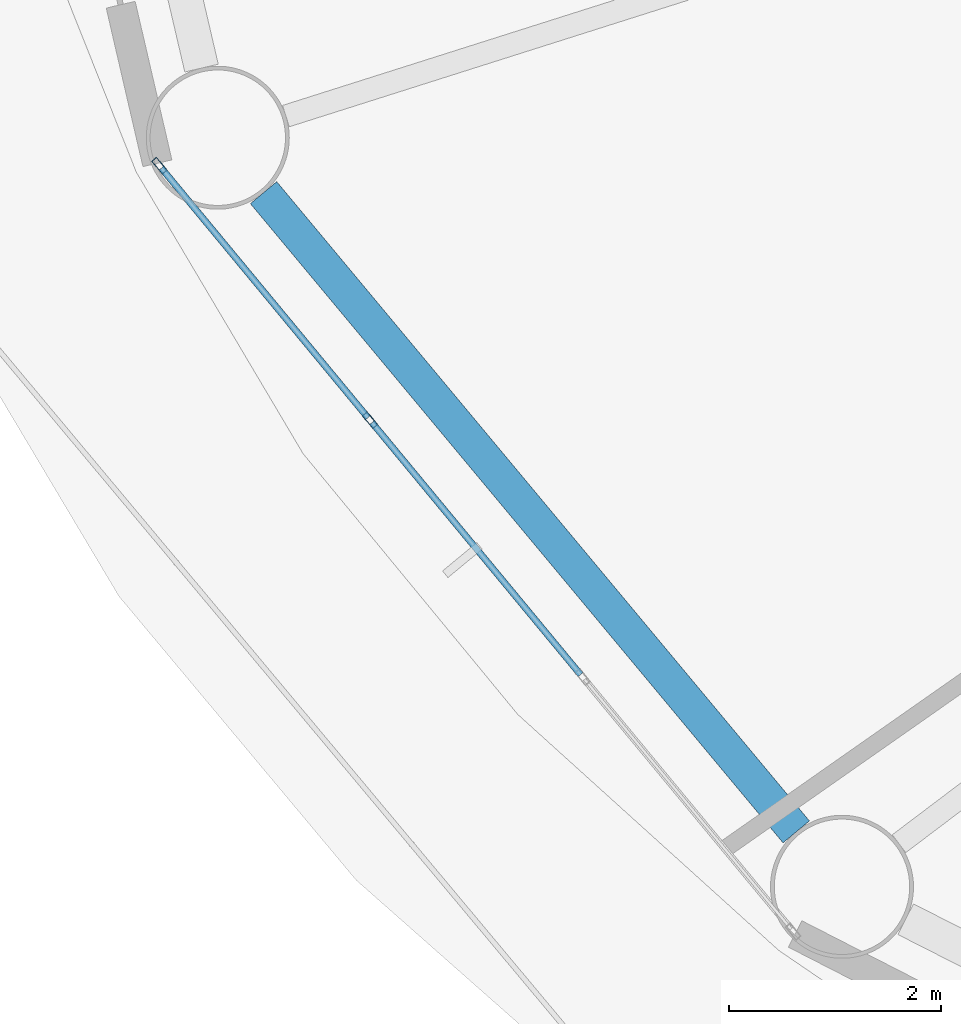
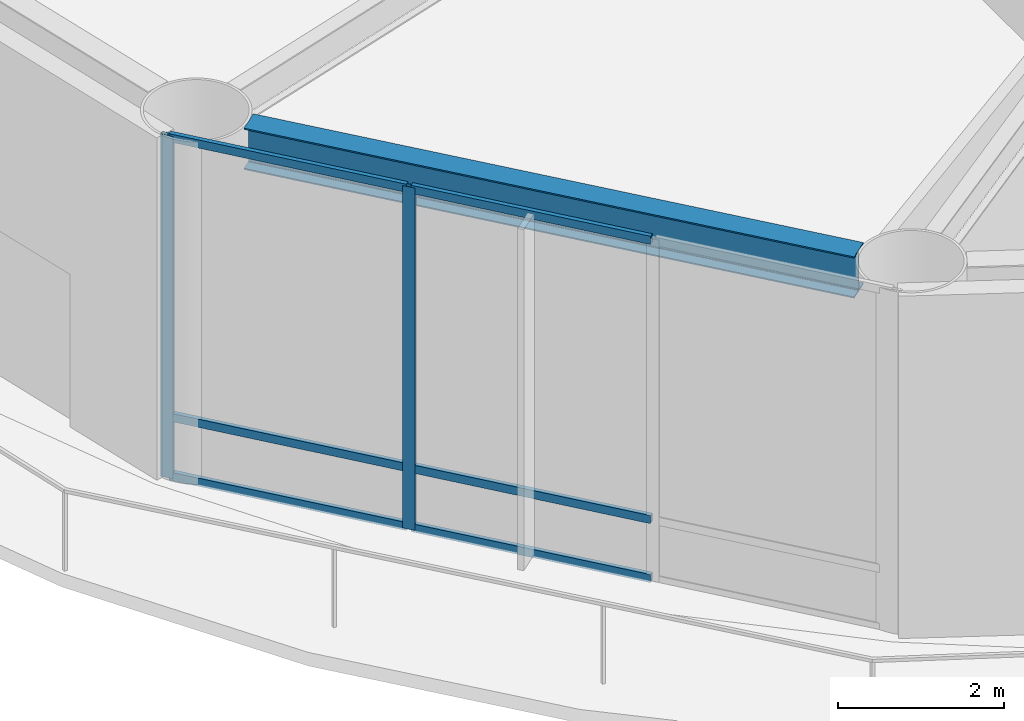
# One storey, part 3 of 25: 8 members, 1 beam, 1 element without a shape of its own.
"""IFC4 building model written with IfcOpenShell, lengths in metres."""

import ifcopenshell
import ifcopenshell.guid

model = None  # the IFC model being written
_history = None  # IfcOwnerHistory: only IFC2X3 demands one
_inside = {}  # id of a spatial element -> (the spatial element, [elements in it])
_under = {}  # id of a project, library or spatial element -> (it, [spatial elements below it])
_declared = {}  # id of a project -> (the project, [libraries it declares])
_typed = {}  # id of a type object -> (the type object, [elements of that type])
_made_of = {}  # id of a material, layer set ... -> (it, [elements and type objects made of it])


def new_model(schema):
    """Start an empty IFC model of exactly this schema.

    Asked for "IFC4X3", IfcOpenShell would pick the latest addendum, in which some entities
    have other attributes; the version numbers below select the first issue.
    IFC2X3 requires an IfcOwnerHistory on every rooted entity: one is made here for all.
    """
    global model, _history
    if schema == "IFC4X3":
        model = ifcopenshell.file(schema_version=(4, 3, 0, 0))
    else:
        model = ifcopenshell.file(schema=schema)
    _inside.clear()
    _under.clear()
    _declared.clear()
    _typed.clear()
    _made_of.clear()
    _history = None
    if model.schema == "IFC2X3":
        org = make("IfcOrganization", Name="unknown")
        user = make(
            "IfcPersonAndOrganization",
            ThePerson=make("IfcPerson", FamilyName="unknown"),
            TheOrganization=org,
        )
        app = make(
            "IfcApplication",
            ApplicationDeveloper=org,
            Version="unknown",
            ApplicationFullName="unknown",
            ApplicationIdentifier="unknown",
        )
        _history = make(
            "IfcOwnerHistory",
            OwningUser=user,
            OwningApplication=app,
            ChangeAction="ADDED",
            CreationDate=0,
        )
    return model


def make(cls, **values):
    """One entity of the class cls with the attributes given. An attribute that is None is left unset."""
    return model.create_entity(
        cls, **{name: value for name, value in values.items() if value is not None}
    )


def rooted(cls, **values):
    """An entity with a GlobalId (a new one), such as an element, a storey or a relation."""
    return make(cls, GlobalId=ifcopenshell.guid.new(), OwnerHistory=_history, **values)


def si_unit(unit_type, name, prefix=None):
    """IfcSIUnit, for example si_unit("LENGTHUNIT", "METRE", prefix="MILLI")."""
    return make("IfcSIUnit", UnitType=unit_type, Prefix=prefix, Name=name)


def assignment(units):
    """IfcUnitAssignment: the units of a project."""
    return None if units is None else make("IfcUnitAssignment", Units=units)


def point(xyz):
    """IfcCartesianPoint."""
    return None if xyz is None else make("IfcCartesianPoint", Coordinates=xyz)


def direction(xyz):
    """IfcDirection."""
    return None if xyz is None else make("IfcDirection", DirectionRatios=xyz)


def frame(location, z_axis=None, x_axis=None):
    """IfcAxis2Placement3D, a coordinate frame: its origin and axes. An axis left out is left unset."""
    return make(
        "IfcAxis2Placement3D",
        Location=point(location),
        Axis=direction(z_axis),
        RefDirection=direction(x_axis),
    )


def frame_2d(location, x_axis=None):
    """IfcAxis2Placement2D, a coordinate frame in the plane: its origin and x axis."""
    return make(
        "IfcAxis2Placement2D", Location=point(location), RefDirection=direction(x_axis)
    )


def origin():
    """The frame at (0, 0, 0) with its axes left unset."""
    return frame((0.0, 0.0, 0.0))


def origin_2d():
    """The frame at (0, 0) in the plane with its x axis left unset."""
    return frame_2d((0.0, 0.0))


def place(relative_to, where):
    """IfcLocalPlacement: puts the frame where relative to a parent placement (None: the world)."""
    return make(
        "IfcLocalPlacement", PlacementRelTo=relative_to, RelativePlacement=where
    )


def context(
    kind, dimensions, precision=None, world=None, true_north=None, identifier=None
):
    """IfcGeometricRepresentationContext, for example the 3D "Model" context."""
    return make(
        "IfcGeometricRepresentationContext",
        ContextIdentifier=identifier,
        ContextType=kind,
        CoordinateSpaceDimension=dimensions,
        Precision=precision,
        WorldCoordinateSystem=world,
        TrueNorth=true_north,
    )


def subcontext(parent, identifier, kind, view, scale=None):
    """IfcGeometricRepresentationSubContext, for example "Body" below "Model"."""
    return make(
        "IfcGeometricRepresentationSubContext",
        ContextIdentifier=identifier,
        ContextType=kind,
        ParentContext=parent,
        TargetScale=scale,
        TargetView=view,
    )


def project(units=None, contexts=None):
    """IfcProject with its units and contexts."""
    return rooted(
        "IfcProject",
        Name="project",
        RepresentationContexts=contexts,
        UnitsInContext=assignment(units),
    )


def spatial(cls, under=None, at=None, **own):
    """A site, building, storey or space (cls), placed at a placement, below another one or the project."""
    s = rooted(cls, ObjectPlacement=at, **own)
    if under is not None:
        _under.setdefault(under.id(), (under, []))[1].append(s)
    return s


def profile(cls, at=None, kind="AREA", **sizes):
    """A parametric profile (cls). Its sizes go by their IFC names, for example OverallWidth=200.0."""
    return make(cls, ProfileType=kind, Position=at, **sizes)


def hollow_rectangle(**sizes):
    """IfcRectangleHollowProfileDef."""
    return profile("IfcRectangleHollowProfileDef", **sizes)


def i_section(**sizes):
    """IfcIShapeProfileDef."""
    return profile("IfcIShapeProfileDef", **sizes)


def extrude(swept, where, along, depth):
    """IfcExtrudedAreaSolid: the profile swept, set in the frame where, extruded along a direction by depth."""
    return make(
        "IfcExtrudedAreaSolid",
        SweptArea=swept,
        Position=where,
        ExtrudedDirection=direction(along),
        Depth=depth,
    )


def shape(context_of_items, identifier, shape_type, items):
    """IfcShapeRepresentation: the items that make up one representation, for example the "Body"."""
    return make(
        "IfcShapeRepresentation",
        ContextOfItems=context_of_items,
        RepresentationIdentifier=identifier,
        RepresentationType=shape_type,
        Items=items,
    )


def material(Name=None, Category=None):
    """IfcMaterial."""
    return make("IfcMaterial", Name=Name, Category=Category)


def layer(
    of_material, thickness, ventilated=None, Name=None, Category=None, Priority=None
):
    """IfcMaterialLayer: one layer of a wall or slab, of a material (None: an air gap)."""
    return make(
        "IfcMaterialLayer",
        Material=of_material,
        LayerThickness=thickness,
        IsVentilated=ventilated,
        Name=Name,
        Category=Category,
        Priority=Priority,
    )


def layer_set(layers, Name=None):
    """IfcMaterialLayerSet."""
    return make("IfcMaterialLayerSet", MaterialLayers=layers, LayerSetName=Name)


def material_profile(
    of_material, cross_section, Name=None, Category=None, Priority=None
):
    """IfcMaterialProfile: a cross section and its material."""
    return make(
        "IfcMaterialProfile",
        Name=Name,
        Material=of_material,
        Profile=cross_section,
        Priority=Priority,
        Category=Category,
    )


def profile_set(profiles, Name=None, composite=None):
    """IfcMaterialProfileSet."""
    return make(
        "IfcMaterialProfileSet",
        Name=Name,
        MaterialProfiles=profiles,
        CompositeProfile=composite,
    )


def made_of(thing, what):
    """Note that an element or type object is made of a material, layer set ...; save() writes the relation."""
    if what is not None:
        _made_of.setdefault(what.id(), (what, []))[1].append(thing)
    return thing


def type_object(cls, material=None, **own):
    """A type object (cls), such as IfcWallType, which elements share."""
    return made_of(rooted(cls, **own), material)


def element(
    cls,
    number,
    at=None,
    inside=None,
    cuts=None,
    type_object=None,
    material=None,
    context=None,
    identifier="Body",
    shape_type=None,
    held_by="IfcProductDefinitionShape",
    body=None,
    shapes=None,
    **own,
):
    """One element of the class cls, such as IfcWall. Its Tag is "e" and its number.

    at: its placement. inside: the storey or other place that contains it. cuts: it is an
    opening in that element (IfcRelVoidsElement). A single representation is given by context,
    identifier, shape_type and body (its items); several are given by shapes. held_by: the class
    of the entity that holds the representations. save() writes the other relations.
    """
    e = rooted(cls, Tag="e%d" % number, ObjectPlacement=at, **own)
    if body is not None:
        shapes = [shape(context, identifier, shape_type, body)]
    if shapes is not None:
        e.Representation = make(held_by, Representations=shapes)
    if inside is not None:
        _inside.setdefault(inside.id(), (inside, []))[1].append(e)
    if cuts is not None:
        rooted(
            "IfcRelVoidsElement", RelatingBuildingElement=cuts, RelatedOpeningElement=e
        )
    if type_object is not None:
        _typed.setdefault(type_object.id(), (type_object, []))[1].append(e)
    return made_of(e, material)


def aggregate(whole, parts):
    """IfcRelAggregates: a whole, such as a stair, and the parts it consists of."""
    return rooted("IfcRelAggregates", RelatingObject=whole, RelatedObjects=parts)


def save(model, path):
    """Write the relations noted so far, then the file.

    IfcRelAggregates (storeys below a building ...), IfcRelContainedInSpatialStructure (elements
    in a storey), IfcRelDefinesByType, IfcRelAssociatesMaterial and IfcRelDeclares: one each for
    every whole, place, type object, material and project.
    """
    for whole, parts in _under.values():
        aggregate(whole, parts)
    for where, things in _inside.values():
        rooted(
            "IfcRelContainedInSpatialStructure",
            RelatedElements=things,
            RelatingStructure=where,
        )
    for kind, things in _typed.values():
        rooted("IfcRelDefinesByType", RelatedObjects=things, RelatingType=kind)
    for what, things in _made_of.values():
        rooted("IfcRelAssociatesMaterial", RelatedObjects=things, RelatingMaterial=what)
    for by, libraries in _declared.values():
        rooted("IfcRelDeclares", RelatingContext=by, RelatedDefinitions=libraries)
    model.write(path)


model = new_model("IFC4")

# Units and contexts
model_context = context("Model", 3, precision=1e-05, world=origin(), true_north=direction((0.0, 1.0)))
body_context = subcontext(model_context, "Body", "Model", "MODEL_VIEW")
ifc_project = project(units=[si_unit("LENGTHUNIT", "METRE"), si_unit("AREAUNIT", "SQUARE_METRE"), si_unit("VOLUMEUNIT", "CUBIC_METRE"), si_unit("PLANEANGLEUNIT", "RADIAN"), si_unit("MASSUNIT", "GRAM", prefix="KILO")], contexts=[model_context])

# Site, building, storey
site_placement = place(None, origin())
site = spatial("IfcSite", under=ifc_project, at=site_placement, CompositionType="ELEMENT")
building_placement = place(site_placement, origin())
building = spatial("IfcBuilding", under=site, at=building_placement, Name="Sarneth Arch Tower", CompositionType="ELEMENT")
storey_placement = place(building_placement, frame((0.0, 0.0, 134.39990234375)))
storey = spatial("IfcBuildingStorey", under=building, at=storey_placement, Name="L34", CompositionType="ELEMENT", Elevation=134.39990234375)

# Beam
ifc_material_1 = material(Name="Steel S355", Category="steel")
ifc_material_profile_1 = material_profile(ifc_material_1, i_section(OverallWidth=0.323974609375, OverallDepth=0.611083984375, WebThickness=0.0126953125, FlangeThickness=0.01904296875, FilletRadius=0.01904296875, at=origin_2d()), Name="W610x155")
ifc_profile_set_1 = profile_set([ifc_material_profile_1], Name="Steel S355")
beam_type = type_object("IfcBeamType", Name="BM-SPAN-610B", PredefinedType="SPANDREL", material=ifc_profile_set_1)
beam_placement = place(storey_placement, frame((22.140869140625, 33.138916015625, 4.74462890625), z_axis=(0.640169116175, -0.768234015581, 0.0), x_axis=(0.768234015581, 0.640169116175, 0.0)))
element("IfcBeam", 1, at=beam_placement, inside=storey, type_object=beam_type, Name="L34 Perimeter spandrel beam 10", PredefinedType="SPANDREL", context=body_context, shape_type="SweptSolid", body=[
    extrude(i_section(OverallWidth=0.323974609375, OverallDepth=0.611083984375, WebThickness=0.0126953125, FlangeThickness=0.01904296875, FilletRadius=0.01904296875, at=origin_2d()), origin(), (0.0, 0.0, 1.0), 7.856201171875),
])

# Curtain wall, members
ifc_material_2 = material(Name="Anodised aluminium Type AA25 and solar-control low-e laminated IGU", Category="aluminium")
ifc_layer = layer(ifc_material_2, 0.159912109375)
ifc_layer_set = layer_set([ifc_layer], Name="Anodised aluminium Type AA25 and solar-control low-e laminated IGU")
curtain_wall_type = type_object("IfcCurtainWallType", Name="CW-HOTEL-MID", PredefinedType="NOTDEFINED", material=ifc_layer_set)
curtain_wall_placement = place(storey_placement, origin())
curtain_wall = element("IfcCurtainWall", 2, at=curtain_wall_placement, inside=storey, type_object=curtain_wall_type, Name="L34 Unitised curtain wall facet 10", PredefinedType="NOTDEFINED")
ifc_material_3 = material(Name="Anodised Aluminium 6063-T6", Category="aluminium")
ifc_material_profile_2 = material_profile(ifc_material_3, hollow_rectangle(XDim=0.06005859375, YDim=0.159912109375, WallThickness=0.00390625, at=origin_2d()), Name="AL-MULL-160x60x4")
ifc_profile_set_2 = profile_set([ifc_material_profile_2], Name="Anodised Aluminium 6063-T6")
member_type_1 = type_object("IfcMemberType", Name="CW-MULLION", PredefinedType="MULLION", material=ifc_profile_set_2)
member_1_placement = place(storey_placement, frame((21.15771484375, 33.393310546875, 0.0), z_axis=(0.0, 0.0, 1.0), x_axis=(0.770437787363, 0.637515188684, 0.0)))
member_1 = element("IfcMember", 3, at=member_1_placement, type_object=member_type_1, Name="CW-SYS-4 mullion 1", PredefinedType="MULLION", context=body_context, shape_type="SweptSolid", body=[
    extrude(hollow_rectangle(XDim=0.06005859375, YDim=0.159912109375, WallThickness=0.00390625, at=origin_2d()), origin(), (0.0, 0.0, 1.0), 5.050048828125),
])
member_2_placement = place(storey_placement, frame((23.145751953125, 30.99072265625, 0.0), z_axis=(0.0, 0.0, 1.0), x_axis=(0.770437787363, 0.637515188684, 0.0)))
member_2 = element("IfcMember", 4, at=member_2_placement, type_object=member_type_1, Name="CW-SYS-4 mullion 2", PredefinedType="MULLION", context=body_context, shape_type="SweptSolid", body=[
    extrude(hollow_rectangle(XDim=0.06005859375, YDim=0.159912109375, WallThickness=0.00390625, at=origin_2d()), origin(), (0.0, 0.0, 1.0), 5.050048828125),
])
ifc_material_4 = material(Name="Anodised Aluminium 6063-T6", Category="aluminium")
ifc_material_profile_3 = material_profile(ifc_material_4, hollow_rectangle(XDim=0.06005859375, YDim=0.1201171875, WallThickness=0.00390625, at=origin_2d()), Name="AL-TRAN-120x60x4")
ifc_profile_set_3 = profile_set([ifc_material_profile_3], Name="Anodised Aluminium 6063-T6")
member_type_2 = type_object("IfcMemberType", Name="CW-TRANSOM", PredefinedType="USERDEFINED", material=ifc_profile_set_3)
member_3_placement = place(storey_placement, frame((21.1767578125, 33.3701171875, 0.030029296875), z_axis=(0.637566080343, -0.770395673142, 0.0), x_axis=(0.770395673142, 0.637566080343, 0.0)))
member_3 = element("IfcMember", 5, at=member_3_placement, type_object=member_type_2, Name="CW-SYS-4 transom 1.1", ObjectType="TRANSOM", PredefinedType="USERDEFINED", context=body_context, shape_type="SweptSolid", body=[
    extrude(hollow_rectangle(XDim=0.06005859375, YDim=0.1201171875, WallThickness=0.00390625, at=origin_2d()), origin(), (0.0, 0.0, 1.0), 3.058349609375),
])
member_4_placement = place(storey_placement, frame((21.1767578125, 33.3701171875, 0.900146484375), z_axis=(0.637566080343, -0.770395673142, 0.0), x_axis=(0.770395673142, 0.637566080343, 0.0)))
member_4 = element("IfcMember", 6, at=member_4_placement, type_object=member_type_2, Name="CW-SYS-4 transom 1.2", ObjectType="TRANSOM", PredefinedType="USERDEFINED", context=body_context, shape_type="SweptSolid", body=[
    extrude(hollow_rectangle(XDim=0.06005859375, YDim=0.1201171875, WallThickness=0.00390625, at=origin_2d()), origin(), (0.0, 0.0, 1.0), 3.058349609375),
])
member_5_placement = place(storey_placement, frame((21.1767578125, 33.3701171875, 5.02001953125), z_axis=(0.637566080343, -0.770395673142, 0.0), x_axis=(0.770395673142, 0.637566080343, 0.0)))
member_5 = element("IfcMember", 7, at=member_5_placement, type_object=member_type_2, Name="CW-SYS-4 transom 1.3", ObjectType="TRANSOM", PredefinedType="USERDEFINED", context=body_context, shape_type="SweptSolid", body=[
    extrude(hollow_rectangle(XDim=0.06005859375, YDim=0.1201171875, WallThickness=0.00390625, at=origin_2d()), origin(), (0.0, 0.0, 1.0), 3.058349609375),
])
member_6_placement = place(storey_placement, frame((23.164794921875, 30.9677734375, 0.030029296875), z_axis=(0.637536975021, -0.770419759275, 0.0), x_axis=(0.770419759275, 0.637536975021, 0.0)))
member_6 = element("IfcMember", 8, at=member_6_placement, type_object=member_type_2, Name="CW-SYS-4 transom 2.1", ObjectType="TRANSOM", PredefinedType="USERDEFINED", context=body_context, shape_type="SweptSolid", body=[
    extrude(hollow_rectangle(XDim=0.06005859375, YDim=0.1201171875, WallThickness=0.00390625, at=origin_2d()), origin(), (0.0, 0.0, 1.0), 3.08837890625),
])
member_7_placement = place(storey_placement, frame((23.164794921875, 30.9677734375, 0.900146484375), z_axis=(0.637536975021, -0.770419759275, 0.0), x_axis=(0.770419759275, 0.637536975021, 0.0)))
member_7 = element("IfcMember", 9, at=member_7_placement, type_object=member_type_2, Name="CW-SYS-4 transom 2.2", ObjectType="TRANSOM", PredefinedType="USERDEFINED", context=body_context, shape_type="SweptSolid", body=[
    extrude(hollow_rectangle(XDim=0.06005859375, YDim=0.1201171875, WallThickness=0.00390625, at=origin_2d()), origin(), (0.0, 0.0, 1.0), 3.08837890625),
])
member_8_placement = place(storey_placement, frame((23.164794921875, 30.9677734375, 5.02001953125), z_axis=(0.637536975021, -0.770419759275, 0.0), x_axis=(0.770419759275, 0.637536975021, 0.0)))
member_8 = element("IfcMember", 10, at=member_8_placement, type_object=member_type_2, Name="CW-SYS-4 transom 2.3", ObjectType="TRANSOM", PredefinedType="USERDEFINED", context=body_context, shape_type="SweptSolid", body=[
    extrude(hollow_rectangle(XDim=0.06005859375, YDim=0.1201171875, WallThickness=0.00390625, at=origin_2d()), origin(), (0.0, 0.0, 1.0), 3.08837890625),
])
aggregate(curtain_wall, [member_1, member_2, member_3, member_4, member_5, member_6, member_7, member_8])

save(model, "model.ifc")
